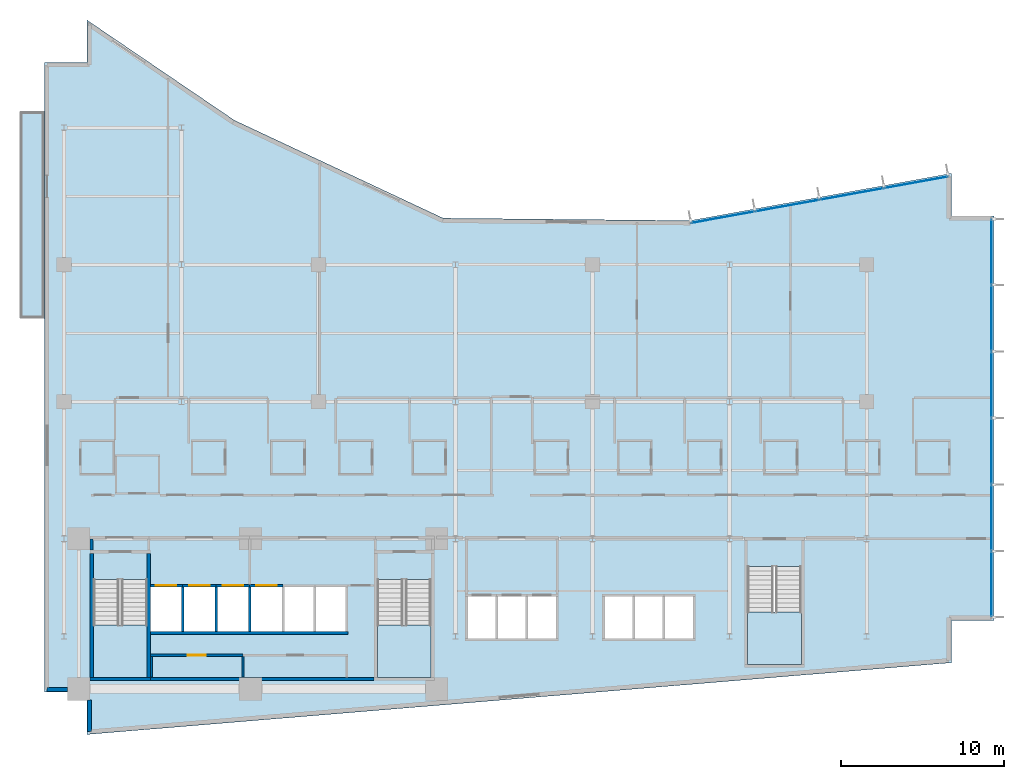
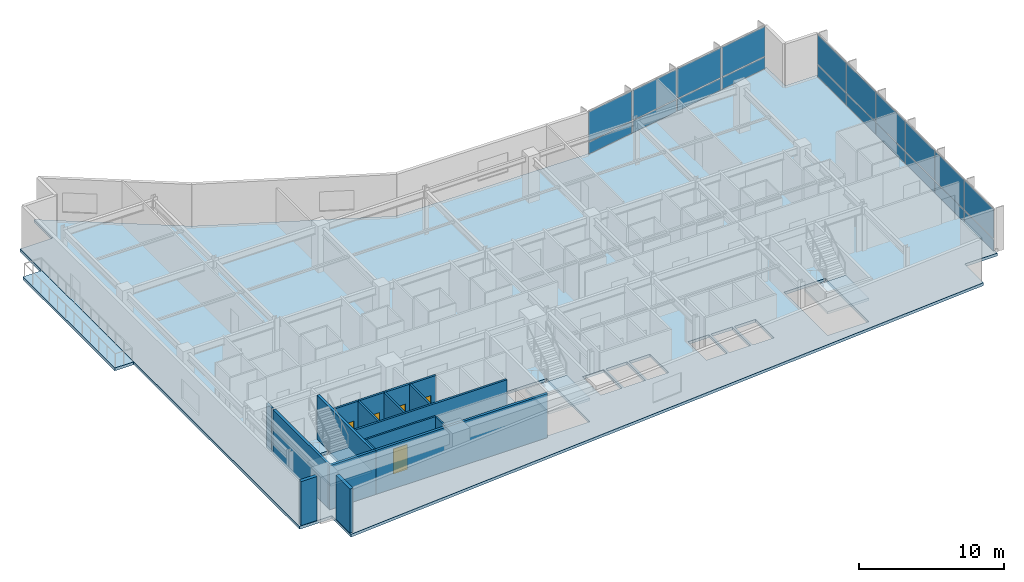
# One storey, part 11 of 21: 20 plates, 18 walls, 5 doors, 5 slabs, 5 openings, 5 elements without a shape of their own.
"""IFC4 building model written with IfcOpenShell, lengths in metres."""

from ifc_helpers import new_model, si_unit, direction, frame, frame_2d, origin, origin_2d, place, context, subcontext, project, spatial, polyline, rectangle, outline, extrude, material, layer, layer_set, type_object, element, fill, aggregate, save


model = new_model("IFC4")

# Units and contexts
model_context = context("Model", 3, precision=1e-05, world=origin(), true_north=direction((0.0, 1.0)))
body_context = subcontext(model_context, "Body", "Model", "MODEL_VIEW")
ifc_project = project(units=[si_unit("LENGTHUNIT", "METRE"), si_unit("AREAUNIT", "SQUARE_METRE"), si_unit("VOLUMEUNIT", "CUBIC_METRE"), si_unit("PLANEANGLEUNIT", "RADIAN"), si_unit("MASSUNIT", "GRAM", prefix="KILO")], contexts=[model_context])

# Site, building, storey
site_placement = place(None, origin())
site = spatial("IfcSite", under=ifc_project, at=site_placement, CompositionType="ELEMENT")
building_placement = place(site_placement, origin())
building = spatial("IfcBuilding", under=site, at=building_placement, Name="Varnakote Quay Hospital", CompositionType="ELEMENT")
storey_placement = place(building_placement, frame((0.0, 0.0, 34.35009765625)))
storey = spatial("IfcBuildingStorey", under=building, at=storey_placement, Name="L08", CompositionType="ELEMENT", Elevation=34.35009765625)

# Curtain wall, plates
ifc_material_1 = material(Name="Anodised aluminium 6063-T6 Bronze", Category="aluminium")
ifc_layer_1 = layer(ifc_material_1, 0.18994140625)
ifc_layer_set_1 = layer_set([ifc_layer_1], Name="Anodised aluminium 6063-T6 Bronze")
curtain_wall_type = type_object("IfcCurtainWallType", Name="CW-SYS-2", PredefinedType="NOTDEFINED", material=ifc_layer_set_1)
curtain_wall_1_placement = place(storey_placement, origin())
curtain_wall_1 = element("IfcCurtainWall", 1, at=curtain_wall_1_placement, inside=storey, type_object=curtain_wall_type, Name="L08 Unitised Bronze Curtain Wall 1", PredefinedType="NOTDEFINED")
ifc_material_2 = material(Name="Double-glazed acoustic laminated glass", Category="glass")
ifc_layer_2 = layer(ifc_material_2, 0.031982421875)
ifc_layer_set_2 = layer_set([ifc_layer_2], Name="Double-glazed acoustic laminated glass")
plate_type = type_object("IfcPlateType", Name="CW-PNL-GLZ-32", PredefinedType="CURTAIN_PANEL", material=ifc_layer_set_2)
plate_1_placement = place(storey_placement, frame((58.0400390625, 9.21875, 0.07470703125), z_axis=(0.0, 0.0, 1.0), x_axis=(0.0, 1.0, 0.0)))
plate_1 = element("IfcPlate", 2, at=plate_1_placement, type_object=plate_type, Name="-2-L08-1 panel 1.1", PredefinedType="CURTAIN_PANEL", context=body_context, shape_type="SweptSolid", body=[
    extrude(rectangle(XDim=3.967529296875, YDim=0.031982421875, at=origin_2d()), origin(), (0.0, 0.0, 1.0), 0.987548828125),
])
plate_2_placement = place(storey_placement, frame((58.0400390625, 9.21875, 1.137451171875), z_axis=(0.0, 0.0, 1.0), x_axis=(0.0, 1.0, 0.0)))
plate_2 = element("IfcPlate", 3, at=plate_2_placement, type_object=plate_type, Name="-2-L08-1 panel 1.2", PredefinedType="CURTAIN_PANEL", context=body_context, shape_type="SweptSolid", body=[
    extrude(rectangle(XDim=3.967529296875, YDim=0.031982421875, at=origin_2d()), origin(), (0.0, 0.0, 1.0), 2.49755859375),
])
plate_3_placement = place(storey_placement, frame((58.0400390625, 13.280029296875, 0.07470703125), z_axis=(0.0, 0.0, 1.0), x_axis=(0.0, 1.0, 0.0)))
plate_3 = element("IfcPlate", 4, at=plate_3_placement, type_object=plate_type, Name="-2-L08-1 panel 2.1", PredefinedType="CURTAIN_PANEL", context=body_context, shape_type="SweptSolid", body=[
    extrude(rectangle(XDim=4.0048828125, YDim=0.031982421875, at=origin_2d()), origin(), (0.0, 0.0, 1.0), 0.987548828125),
])
plate_4_placement = place(storey_placement, frame((58.0400390625, 13.280029296875, 1.137451171875), z_axis=(0.0, 0.0, 1.0), x_axis=(0.0, 1.0, 0.0)))
plate_4 = element("IfcPlate", 5, at=plate_4_placement, type_object=plate_type, Name="-2-L08-1 panel 2.2", PredefinedType="CURTAIN_PANEL", context=body_context, shape_type="SweptSolid", body=[
    extrude(rectangle(XDim=4.0048828125, YDim=0.031982421875, at=origin_2d()), origin(), (0.0, 0.0, 1.0), 2.49755859375),
])
plate_5_placement = place(storey_placement, frame((58.0400390625, 17.360107421875, 0.07470703125), z_axis=(0.0, 0.0, 1.0), x_axis=(0.0, 1.0, 0.0)))
plate_5 = element("IfcPlate", 6, at=plate_5_placement, type_object=plate_type, Name="-2-L08-1 panel 3.1", PredefinedType="CURTAIN_PANEL", context=body_context, shape_type="SweptSolid", body=[
    extrude(rectangle(XDim=4.0048828125, YDim=0.031982421875, at=origin_2d()), origin(), (0.0, 0.0, 1.0), 0.987548828125),
])
plate_6_placement = place(storey_placement, frame((58.0400390625, 17.360107421875, 1.137451171875), z_axis=(0.0, 0.0, 1.0), x_axis=(0.0, 1.0, 0.0)))
plate_6 = element("IfcPlate", 7, at=plate_6_placement, type_object=plate_type, Name="-2-L08-1 panel 3.2", PredefinedType="CURTAIN_PANEL", context=body_context, shape_type="SweptSolid", body=[
    extrude(rectangle(XDim=4.0048828125, YDim=0.031982421875, at=origin_2d()), origin(), (0.0, 0.0, 1.0), 2.49755859375),
])
plate_7_placement = place(storey_placement, frame((58.0400390625, 21.43994140625, 0.07470703125), z_axis=(0.0, 0.0, 1.0), x_axis=(0.0, 1.0, 0.0)))
plate_7 = element("IfcPlate", 8, at=plate_7_placement, type_object=plate_type, Name="-2-L08-1 panel 4.1", PredefinedType="CURTAIN_PANEL", context=body_context, shape_type="SweptSolid", body=[
    extrude(rectangle(XDim=4.0048828125, YDim=0.031982421875, at=origin_2d()), origin(), (0.0, 0.0, 1.0), 0.987548828125),
])
plate_8_placement = place(storey_placement, frame((58.0400390625, 21.43994140625, 1.137451171875), z_axis=(0.0, 0.0, 1.0), x_axis=(0.0, 1.0, 0.0)))
plate_8 = element("IfcPlate", 9, at=plate_8_placement, type_object=plate_type, Name="-2-L08-1 panel 4.2", PredefinedType="CURTAIN_PANEL", context=body_context, shape_type="SweptSolid", body=[
    extrude(rectangle(XDim=4.0048828125, YDim=0.031982421875, at=origin_2d()), origin(), (0.0, 0.0, 1.0), 2.49755859375),
])
plate_9_placement = place(storey_placement, frame((58.0400390625, 25.52001953125, 0.07470703125), z_axis=(0.0, 0.0, 1.0), x_axis=(0.0, 1.0, 0.0)))
plate_9 = element("IfcPlate", 10, at=plate_9_placement, type_object=plate_type, Name="-2-L08-1 panel 5.1", PredefinedType="CURTAIN_PANEL", context=body_context, shape_type="SweptSolid", body=[
    extrude(rectangle(XDim=4.0048828125, YDim=0.031982421875, at=origin_2d()), origin(), (0.0, 0.0, 1.0), 0.987548828125),
])
plate_10_placement = place(storey_placement, frame((58.0400390625, 25.52001953125, 1.137451171875), z_axis=(0.0, 0.0, 1.0), x_axis=(0.0, 1.0, 0.0)))
plate_10 = element("IfcPlate", 11, at=plate_10_placement, type_object=plate_type, Name="-2-L08-1 panel 5.2", PredefinedType="CURTAIN_PANEL", context=body_context, shape_type="SweptSolid", body=[
    extrude(rectangle(XDim=4.0048828125, YDim=0.031982421875, at=origin_2d()), origin(), (0.0, 0.0, 1.0), 2.49755859375),
])
plate_11_placement = place(storey_placement, frame((58.0400390625, 29.581298828125, 0.07470703125), z_axis=(0.0, 0.0, 1.0), x_axis=(0.0, 1.0, 0.0)))
plate_11 = element("IfcPlate", 12, at=plate_11_placement, type_object=plate_type, Name="-2-L08-1 panel 6.1", PredefinedType="CURTAIN_PANEL", context=body_context, shape_type="SweptSolid", body=[
    extrude(rectangle(XDim=3.967529296875, YDim=0.031982421875, at=origin_2d()), origin(), (0.0, 0.0, 1.0), 0.987548828125),
])
plate_12_placement = place(storey_placement, frame((58.0400390625, 29.581298828125, 1.137451171875), z_axis=(0.0, 0.0, 1.0), x_axis=(0.0, 1.0, 0.0)))
plate_12 = element("IfcPlate", 13, at=plate_12_placement, type_object=plate_type, Name="-2-L08-1 panel 6.2", PredefinedType="CURTAIN_PANEL", context=body_context, shape_type="SweptSolid", body=[
    extrude(rectangle(XDim=3.967529296875, YDim=0.031982421875, at=origin_2d()), origin(), (0.0, 0.0, 1.0), 2.49755859375),
])
aggregate(curtain_wall_1, [plate_1, plate_2, plate_3, plate_4, plate_5, plate_6, plate_7, plate_8, plate_9, plate_10, plate_11, plate_12])

curtain_wall_2_placement = place(storey_placement, origin())
curtain_wall_2 = element("IfcCurtainWall", 14, at=curtain_wall_2_placement, inside=storey, type_object=curtain_wall_type, Name="L08 Unitised Bronze Curtain Wall 2", PredefinedType="NOTDEFINED")
plate_13_placement = place(storey_placement, frame((53.440185546875, 33.84716796875, 0.07470703125), z_axis=(0.0, 0.0, 1.0), x_axis=(-0.984058295766, -0.177846199098, 0.0)))
plate_13 = element("IfcPlate", 15, at=plate_13_placement, type_object=plate_type, Name="-2-L08-2 panel 1.1", PredefinedType="CURTAIN_PANEL", context=body_context, shape_type="SweptSolid", body=[
    extrude(rectangle(XDim=3.914306640625, YDim=0.031982421875, at=origin_2d()), origin(), (0.0, 0.0, 1.0), 0.987548828125),
])
plate_14_placement = place(storey_placement, frame((53.440185546875, 33.84716796875, 1.137451171875), z_axis=(0.0, 0.0, 1.0), x_axis=(-0.984058295766, -0.177846199098, 0.0)))
plate_14 = element("IfcPlate", 16, at=plate_14_placement, type_object=plate_type, Name="-2-L08-2 panel 1.2", PredefinedType="CURTAIN_PANEL", context=body_context, shape_type="SweptSolid", body=[
    extrude(rectangle(XDim=3.914306640625, YDim=0.031982421875, at=origin_2d()), origin(), (0.0, 0.0, 1.0), 2.49755859375),
])
plate_15_placement = place(storey_placement, frame((49.49609375, 33.13427734375, 0.07470703125), z_axis=(0.0, 0.0, 1.0), x_axis=(-0.984058295766, -0.177846199098, 0.0)))
plate_15 = element("IfcPlate", 17, at=plate_15_placement, type_object=plate_type, Name="-2-L08-2 panel 2.1", PredefinedType="CURTAIN_PANEL", context=body_context, shape_type="SweptSolid", body=[
    extrude(rectangle(XDim=3.951904296875, YDim=0.031982421875, at=origin_2d()), origin(), (0.0, 0.0, 1.0), 0.987548828125),
])
plate_16_placement = place(storey_placement, frame((49.49609375, 33.13427734375, 1.137451171875), z_axis=(0.0, 0.0, 1.0), x_axis=(-0.984058295766, -0.177846199098, 0.0)))
plate_16 = element("IfcPlate", 18, at=plate_16_placement, type_object=plate_type, Name="-2-L08-2 panel 2.2", PredefinedType="CURTAIN_PANEL", context=body_context, shape_type="SweptSolid", body=[
    extrude(rectangle(XDim=3.951904296875, YDim=0.031982421875, at=origin_2d()), origin(), (0.0, 0.0, 1.0), 2.49755859375),
])
plate_17_placement = place(storey_placement, frame((45.533447265625, 32.418212890625, 0.07470703125), z_axis=(0.0, 0.0, 1.0), x_axis=(-0.984058295766, -0.177846199098, 0.0)))
plate_17 = element("IfcPlate", 19, at=plate_17_placement, type_object=plate_type, Name="-2-L08-2 panel 3.1", PredefinedType="CURTAIN_PANEL", context=body_context, shape_type="SweptSolid", body=[
    extrude(rectangle(XDim=3.951904296875, YDim=0.031982421875, at=origin_2d()), origin(), (0.0, 0.0, 1.0), 0.987548828125),
])
plate_18_placement = place(storey_placement, frame((45.533447265625, 32.418212890625, 1.137451171875), z_axis=(0.0, 0.0, 1.0), x_axis=(-0.984058295766, -0.177846199098, 0.0)))
plate_18 = element("IfcPlate", 20, at=plate_18_placement, type_object=plate_type, Name="-2-L08-2 panel 3.2", PredefinedType="CURTAIN_PANEL", context=body_context, shape_type="SweptSolid", body=[
    extrude(rectangle(XDim=3.951904296875, YDim=0.031982421875, at=origin_2d()), origin(), (0.0, 0.0, 1.0), 2.49755859375),
])
plate_19_placement = place(storey_placement, frame((41.58935546875, 31.705322265625, 0.07470703125), z_axis=(0.0, 0.0, 1.0), x_axis=(-0.984058295766, -0.177846199098, 0.0)))
plate_19 = element("IfcPlate", 21, at=plate_19_placement, type_object=plate_type, Name="-2-L08-2 panel 4.1", PredefinedType="CURTAIN_PANEL", context=body_context, shape_type="SweptSolid", body=[
    extrude(rectangle(XDim=3.914306640625, YDim=0.031982421875, at=origin_2d()), origin(), (0.0, 0.0, 1.0), 0.987548828125),
])
plate_20_placement = place(storey_placement, frame((41.58935546875, 31.705322265625, 1.137451171875), z_axis=(0.0, 0.0, 1.0), x_axis=(-0.984058295766, -0.177846199098, 0.0)))
plate_20 = element("IfcPlate", 22, at=plate_20_placement, type_object=plate_type, Name="-2-L08-2 panel 4.2", PredefinedType="CURTAIN_PANEL", context=body_context, shape_type="SweptSolid", body=[
    extrude(rectangle(XDim=3.914306640625, YDim=0.031982421875, at=origin_2d()), origin(), (0.0, 0.0, 1.0), 2.49755859375),
])
aggregate(curtain_wall_2, [plate_13, plate_14, plate_15, plate_16, plate_17, plate_18, plate_19, plate_20])

# Stair, slab
ifc_material_3 = material(Name="Concrete N40 (f'c 40 MPa)", Category="concrete")
stair_type = type_object("IfcStairType", Name="STR-CORE-1580", PredefinedType="HALF_TURN_STAIR", material=ifc_material_3)
stair_1_placement = place(storey_placement, origin())
stair_1 = element("IfcStair", 23, at=stair_1_placement, inside=storey, type_object=stair_type, Name="L08 Fire-Isolated Exit Stair ST-01", PredefinedType="HALF_TURN_STAIR")
ifc_material_4 = material(Name="Concrete N40 (f'c 40 MPa)", Category="concrete")
ifc_layer_3 = layer(ifc_material_4, 0.199951171875)
ifc_layer_set_3 = layer_set([ifc_layer_3], Name="Concrete N40 (f'c 40 MPa)")
slab_type_1 = type_object("IfcSlabType", Name="SLB-STAIR-LND-200", PredefinedType="LANDING", material=ifc_layer_set_3)
slab_1_placement = place(storey_placement, frame((0.0, 0.0, 1.77490234375)))
slab_1 = element("IfcSlab", 24, at=slab_1_placement, type_object=slab_type_1, Name="ST-01 landing 1", PredefinedType="LANDING", context=body_context, shape_type="SweptSolid", body=[
    extrude(outline(polyline([(3.0, 6.699951171875), (3.0, 3.5), (6.300048828125, 3.5), (6.300048828125, 6.699951171875), (3.0, 6.699951171875)])), origin(), (0.0, 0.0, 1.0), 0.199951171875),
])
aggregate(stair_1, [slab_1])

stair_2_placement = place(storey_placement, origin())
stair_2 = element("IfcStair", 25, at=stair_2_placement, inside=storey, type_object=stair_type, Name="L08 Fire-Isolated Exit Stair ST-02", PredefinedType="HALF_TURN_STAIR")
slab_2_placement = place(storey_placement, frame((0.0, 0.0, 1.77490234375)))
slab_2 = element("IfcSlab", 26, at=slab_2_placement, type_object=slab_type_1, Name="ST-02 landing 1", PredefinedType="LANDING", context=body_context, shape_type="SweptSolid", body=[
    extrude(outline(polyline([(20.39990234375, 6.699951171875), (20.39990234375, 3.5), (23.699951171875, 3.5), (23.699951171875, 6.699951171875), (20.39990234375, 6.699951171875)])), origin(), (0.0, 0.0, 1.0), 0.199951171875),
])
aggregate(stair_2, [slab_2])

stair_3_placement = place(storey_placement, origin())
stair_3 = element("IfcStair", 27, at=stair_3_placement, inside=storey, type_object=stair_type, Name="L08 Fire-Isolated Exit Stair ST-03", PredefinedType="HALF_TURN_STAIR")
slab_3_placement = place(storey_placement, frame((0.0, 0.0, 1.77490234375)))
slab_3 = element("IfcSlab", 28, at=slab_3_placement, type_object=slab_type_1, Name="ST-03 landing 1", PredefinedType="LANDING", context=body_context, shape_type="SweptSolid", body=[
    extrude(outline(polyline([(43.10009765625, 7.5), (43.10009765625, 4.300048828125), (46.39990234375, 4.300048828125), (46.39990234375, 7.5), (43.10009765625, 7.5)])), origin(), (0.0, 0.0, 1.0), 0.199951171875),
])
aggregate(stair_3, [slab_3])

# Slabs
ifc_material_5 = material(Name="Concrete N50 (f'c 50 MPa)", Category="concrete")
ifc_layer_4 = layer(ifc_material_5, 0.239990234375)
ifc_layer_set_4 = layer_set([ifc_layer_4], Name="Concrete N50 (f'c 50 MPa)")
slab_type_2 = type_object("IfcSlabType", Name="SLB-TERR-200", PredefinedType="FLOOR", material=ifc_layer_set_4)
slab_4_placement = place(storey_placement, frame((0.0, 0.0, -0.239990234375)))
element("IfcSlab", 29, at=slab_4_placement, inside=storey, type_object=slab_type_2, Name="L08 Waterfront Healing Terrace Slab", PredefinedType="FLOOR", context=body_context, shape_type="SweptSolid", body=[
    extrude(outline(polyline([(0.00390625, 25.5), (0.00390625, 38.199951171875), (-1.5, 38.199951171875), (-1.5, 25.5), (0.00390625, 25.5)])), origin(), (0.0, 0.0, 1.0), 0.239990234375),
])
ifc_material_6 = material(Name="Concrete N50 (f'c 50 MPa)", Category="concrete")
ifc_layer_5 = layer(ifc_material_6, 0.239990234375)
ifc_layer_set_5 = layer_set([ifc_layer_5], Name="Concrete N50 (f'c 50 MPa)")
slab_type_3 = type_object("IfcSlabType", Name="SLB-WARD-200", PredefinedType="FLOOR", material=ifc_layer_set_5)
slab_5_placement = place(storey_placement, frame((0.0, 0.0, -0.239990234375)))
element("IfcSlab", 30, at=slab_5_placement, inside=storey, type_object=slab_type_3, Name="L08 Primary Floor Slab", PredefinedType="FLOOR", context=body_context, shape_type="SweptSolid", body=[
    extrude(outline(polyline([(0.0, 2.60009765625), (2.60009765625, 2.60009765625), (2.60009765625, 0.0), (55.60009765625, 4.39990234375), (55.60009765625, 7.0), (58.199951171875, 7.0), (58.199951171875, 31.800048828125), (55.60009765625, 31.800048828125), (55.60009765625, 34.39990234375), (39.575927734375, 31.50390625), (24.444091796875, 31.652099609375), (11.639892578125, 37.656005859375), (2.60009765625, 43.800048828125), (2.60009765625, 41.199951171875), (0.0, 41.199951171875), (0.0, 2.60009765625)]), holes=[polyline([(3.0, 3.5), (6.300048828125, 3.5), (6.300048828125, 9.49951171875), (3.0, 9.49951171875), (3.0, 3.5)]), polyline([(20.39990234375, 3.5), (23.699951171875, 3.5), (23.699951171875, 9.49951171875), (20.39990234375, 9.49951171875), (20.39990234375, 3.5)]), polyline([(43.10009765625, 4.300048828125), (46.39990234375, 4.300048828125), (46.39990234375, 10.29931640625), (43.10009765625, 10.29931640625), (43.10009765625, 4.300048828125)]), polyline([(6.5, 6.300048828125), (8.39990234375, 6.300048828125), (8.39990234375, 9.050048828125), (6.5, 9.050048828125), (6.5, 6.300048828125)]), polyline([(8.550048828125, 6.300048828125), (10.449951171875, 6.300048828125), (10.449951171875, 9.050048828125), (8.550048828125, 9.050048828125), (8.550048828125, 6.300048828125)]), polyline([(10.60009765625, 6.300048828125), (12.5, 6.300048828125), (12.5, 9.050048828125), (10.60009765625, 9.050048828125), (10.60009765625, 6.300048828125)]), polyline([(12.64990234375, 6.300048828125), (14.550048828125, 6.300048828125), (14.550048828125, 9.050048828125), (12.64990234375, 9.050048828125), (12.64990234375, 6.300048828125)]), polyline([(14.699951171875, 6.300048828125), (16.5, 6.300048828125), (16.5, 9.050048828125), (14.699951171875, 9.050048828125), (14.699951171875, 6.300048828125)]), polyline([(16.64990234375, 6.300048828125), (18.449951171875, 6.300048828125), (18.449951171875, 9.050048828125), (16.64990234375, 9.050048828125), (16.64990234375, 6.300048828125)]), polyline([(25.949951171875, 5.89990234375), (27.64990234375, 5.89990234375), (27.64990234375, 8.449951171875), (25.949951171875, 8.449951171875), (25.949951171875, 5.89990234375)]), polyline([(27.800048828125, 5.89990234375), (29.5, 5.89990234375), (29.5, 8.449951171875), (27.800048828125, 8.449951171875), (27.800048828125, 5.89990234375)]), polyline([(29.64990234375, 5.89990234375), (31.35009765625, 5.89990234375), (31.35009765625, 8.449951171875), (29.64990234375, 8.449951171875), (29.64990234375, 5.89990234375)]), polyline([(34.35009765625, 5.89990234375), (36.050048828125, 5.89990234375), (36.050048828125, 8.449951171875), (34.35009765625, 8.449951171875), (34.35009765625, 5.89990234375)]), polyline([(36.199951171875, 5.89990234375), (37.89990234375, 5.89990234375), (37.89990234375, 8.449951171875), (36.199951171875, 8.449951171875), (36.199951171875, 5.89990234375)]), polyline([(38.050048828125, 5.89990234375), (39.75, 5.89990234375), (39.75, 8.449951171875), (38.050048828125, 8.449951171875), (38.050048828125, 5.89990234375)])]), origin(), (0.0, 0.0, 1.0), 0.239990234375),
])

# Walls
ifc_material_7 = material(Name="Fire-rated acoustic gypsum stud wall", Category="gypsum")
ifc_layer_6 = layer(ifc_material_7, 0.159912109375)
ifc_layer_set_6 = layer_set([ifc_layer_6], Name="Fire-rated acoustic gypsum stud wall")
wall_type_1 = type_object("IfcWallType", Name="WL-COMP-160", PredefinedType="PARTITIONING", material=ifc_layer_set_6)
wall_1_placement = place(storey_placement, frame((2.8798828125, 11.300048828125, 0.0), z_axis=(0.0, 0.0, 1.0), x_axis=(0.0, 1.0, 0.0)))
element("IfcWall", 31, at=wall_1_placement, inside=storey, type_object=wall_type_1, Name="L08 West Stair Vestibule West Wall", PredefinedType="PARTITIONING", context=body_context, shape_type="SweptSolid", body=[
    extrude(rectangle(XDim=0.699951171875, YDim=0.159912109375, at=frame_2d((0.35009765625, 0.0))), origin(), (0.0, 0.0, 1.0), 3.7099609375),
])
ifc_material_8 = material(Name="Concrete N80 (f'c 80 MPa)", Category="concrete")
ifc_layer_7 = layer(ifc_material_8, 0.199951171875)
ifc_layer_set_7 = layer_set([ifc_layer_7], Name="Concrete N80 (f'c 80 MPa)")
wall_type_2 = type_object("IfcWallType", Name="WL-CORE-N80-200", PredefinedType="SHEAR", material=ifc_layer_set_7)
wall_2_placement = place(storey_placement, frame((6.5, 3.39990234375, 0.0), z_axis=(0.0, 0.0, 1.0), x_axis=(1.0, 0.0, 0.0)))
element("IfcWall", 32, at=wall_2_placement, inside=storey, type_object=wall_type_2, Name="L08 Rear Core South Shear Wall", PredefinedType="SHEAR", context=body_context, shape_type="SweptSolid", body=[
    extrude(rectangle(XDim=13.699951171875, YDim=0.199951171875, at=frame_2d((6.85009765625, 0.0))), origin(), (0.0, 0.0, 1.0), 3.7099609375),
])
ifc_material_9 = material(Name="Precast concrete N50 (f'c 50 MPa)", Category="concrete")
ifc_layer_8 = layer(ifc_material_9, 0.260009765625)
ifc_layer_set_8 = layer_set([ifc_layer_8], Name="Precast concrete N50 (f'c 50 MPa)")
wall_type_3 = type_object("IfcWallType", Name="WL-EXT-BRICK-260", PredefinedType="STANDARD", material=ifc_layer_set_8)
wall_3_placement = place(storey_placement, frame((2.760009765625, 2.114990234375, 0.0), z_axis=(0.0, 0.0, 1.0), x_axis=(0.0, -1.0, 0.0)))
element("IfcWall", 33, at=wall_3_placement, inside=storey, type_object=wall_type_3, Name="L08 Brick-Faced Precast Exterior Wall", PredefinedType="STANDARD", context=body_context, shape_type="SweptSolid", body=[
    extrude(rectangle(XDim=1.941162109375, YDim=0.260009765625, at=frame_2d((0.970703125, 0.0))), origin(), (0.0, 0.0, 1.0), 3.7099609375),
])
wall_4_placement = place(storey_placement, frame((0.159912109375, 2.760009765625, 0.0), z_axis=(0.0, 0.0, 1.0), x_axis=(1.0, 0.0, 0.0)))
element("IfcWall", 34, at=wall_4_placement, inside=storey, type_object=wall_type_3, Name="L08 Brick-Faced Precast Exterior Wall", PredefinedType="STANDARD", context=body_context, shape_type="SweptSolid", body=[
    extrude(rectangle(XDim=1.255126953125, YDim=0.260009765625, at=frame_2d((0.62744140625, 0.0))), origin(), (0.0, 0.0, 1.0), 3.7099609375),
])
ifc_material_10 = material(Name="Concrete N50 (f'c 50 MPa)", Category="concrete")
ifc_layer_9 = layer(ifc_material_10, 0.14990234375)
ifc_layer_set_9 = layer_set([ifc_layer_9], Name="Concrete N50 (f'c 50 MPa)")
wall_type_4 = type_object("IfcWallType", Name="WL-SHAFT-N50-150", PredefinedType="SHEAR", material=ifc_layer_set_9)
for number, where, z_axis, x_axis, name in (
    (35, (8.47509765625, 6.300048828125, 0.0), (0.0, 0.0, 1.0), (0.0, 1.0, 0.0), "L08 LF-FF1 Hoistway Divider Wall"),
    (36, (10.52490234375, 6.300048828125, 0.0), (0.0, 0.0, 1.0), (0.0, 1.0, 0.0), "L08 LF-FF2 Hoistway Divider Wall"),
    (37, (12.574951171875, 6.300048828125, 0.0), (0.0, 0.0, 1.0), (0.0, 1.0, 0.0), "L08 LF-SV1 Hoistway Divider Wall"),
):
    element("IfcWall", number, at=place(storey_placement, frame(where, z_axis=z_axis, x_axis=x_axis)), inside=storey, type_object=wall_type_4, Name=name, PredefinedType="SHEAR", context=body_context, shape_type="SweptSolid", body=[
        extrude(rectangle(XDim=2.75, YDim=0.14990234375, at=frame_2d((1.375, 0.0))), origin(), (0.0, 0.0, 1.0), 3.7099609375),
    ])
ifc_material_11 = material(Name="Concrete N50 (f'c 50 MPa)", Category="concrete")
ifc_layer_10 = layer(ifc_material_11, 0.159912109375)
ifc_layer_set_10 = layer_set([ifc_layer_10], Name="Concrete N50 (f'c 50 MPa)")
wall_type_5 = type_object("IfcWallType", Name="WL-SHAFT-N50-160", PredefinedType="SHEAR", material=ifc_layer_set_10)
wall_5_placement = place(storey_placement, frame((6.5, 6.219970703125, 0.0), z_axis=(0.0, 0.0, 1.0), x_axis=(1.0, 0.0, 0.0)))
element("IfcWall", 38, at=wall_5_placement, inside=storey, type_object=wall_type_5, Name="L08 REAR Lift Bank Back Shear Wall", PredefinedType="SHEAR", context=body_context, shape_type="SweptSolid", body=[
    extrude(rectangle(XDim=12.110107421875, YDim=0.159912109375, at=frame_2d((6.05517578125, 0.0))), origin(), (0.0, 0.0, 1.0), 3.7099609375),
])

# Wall, opening, door
wall_6_placement = place(storey_placement, frame((6.5, 9.1298828125, 0.0), z_axis=(0.0, 0.0, 1.0), x_axis=(1.0, 0.0, 0.0)))
wall_6 = element("IfcWall", 39, at=wall_6_placement, inside=storey, type_object=wall_type_5, Name="L08 LF-FF1 Hoistway Front Wall", PredefinedType="SHEAR", context=body_context, shape_type="SweptSolid", body=[
    extrude(rectangle(XDim=1.97509765625, YDim=0.159912109375, at=frame_2d((0.987548828125, 0.0))), origin(), (0.0, 0.0, 1.0), 3.7099609375),
])
opening_1_placement = place(wall_6_placement, frame((0.324951171875, 0.0, 0.0)))
opening_1 = element("IfcOpeningElement", 40, at=opening_1_placement, cuts=wall_6, Name="Opening LD-FF1-L08", PredefinedType="OPENING", context=body_context, shape_type="SweptSolid", body=[
    extrude(rectangle(XDim=1.25, YDim=2.14990234375, at=frame_2d((0.625, 1.074951171875))), frame((0.0, 0.08984375, 0.0), z_axis=(0.0, -1.0, 0.0), x_axis=(1.0, 0.0, 0.0)), (0.0, 0.0, 1.0), 0.179931640625),
])
ifc_material_12 = material(Name="Stainless steel lift landing sliding door", Category="steel")
door_type_1 = type_object("IfcDoorType", Name="DR-LIFT-LD-1250x2150", OperationType="NOTDEFINED", PredefinedType="DOOR", material=ifc_material_12)
door_1_placement = place(opening_1_placement, origin())
door_1 = element("IfcDoor", 41, at=door_1_placement, inside=storey, type_object=door_type_1, Name="L08 LF-FF1 Lift Landing Sliding Door", OperationType="SLIDING_TO_LEFT", OverallHeight=2.14990234375, OverallWidth=1.25, PredefinedType="DOOR", context=body_context, shape_type="SweptSolid", body=[
    extrude(rectangle(XDim=1.25, YDim=2.14990234375, at=frame_2d((0.625, 1.074951171875))), frame((0.0, 0.02490234375, 0.0), z_axis=(0.0, -1.0, 0.0), x_axis=(1.0, 0.0, 0.0)), (0.0, 0.0, 1.0), 0.050048828125),
])
fill(opening_1, door_1)

wall_7_placement = place(storey_placement, frame((8.47509765625, 9.1298828125, 0.0), z_axis=(0.0, 0.0, 1.0), x_axis=(1.0, 0.0, 0.0)))
wall_7 = element("IfcWall", 42, at=wall_7_placement, inside=storey, type_object=wall_type_5, Name="L08 LF-FF2 Hoistway Front Wall", PredefinedType="SHEAR", context=body_context, shape_type="SweptSolid", body=[
    extrude(rectangle(XDim=2.0498046875, YDim=0.159912109375, at=frame_2d((1.02490234375, 0.0))), origin(), (0.0, 0.0, 1.0), 3.7099609375),
])
opening_2_placement = place(wall_7_placement, frame((0.39990234375, 0.0, 0.0)))
opening_2 = element("IfcOpeningElement", 43, at=opening_2_placement, cuts=wall_7, Name="Opening LD-FF2-L08", PredefinedType="OPENING", context=body_context, shape_type="SweptSolid", body=[
    extrude(rectangle(XDim=1.25, YDim=2.14990234375, at=frame_2d((0.625, 1.074951171875))), frame((0.0, 0.08984375, 0.0), z_axis=(0.0, -1.0, 0.0), x_axis=(1.0, 0.0, 0.0)), (0.0, 0.0, 1.0), 0.179931640625),
])
door_2_placement = place(opening_2_placement, origin())
door_2 = element("IfcDoor", 44, at=door_2_placement, inside=storey, type_object=door_type_1, Name="L08 LF-FF2 Lift Landing Sliding Door", OperationType="SLIDING_TO_LEFT", OverallHeight=2.14990234375, OverallWidth=1.25, PredefinedType="DOOR", context=body_context, shape_type="SweptSolid", body=[
    extrude(rectangle(XDim=1.25, YDim=2.14990234375, at=frame_2d((0.625, 1.074951171875))), frame((0.0, 0.02490234375, 0.0), z_axis=(0.0, -1.0, 0.0), x_axis=(1.0, 0.0, 0.0)), (0.0, 0.0, 1.0), 0.050048828125),
])
fill(opening_2, door_2)

wall_8_placement = place(storey_placement, frame((10.52490234375, 9.1298828125, 0.0), z_axis=(0.0, 0.0, 1.0), x_axis=(1.0, 0.0, 0.0)))
wall_8 = element("IfcWall", 45, at=wall_8_placement, inside=storey, type_object=wall_type_5, Name="L08 LF-SV1 Hoistway Front Wall", PredefinedType="SHEAR", context=body_context, shape_type="SweptSolid", body=[
    extrude(rectangle(XDim=2.050048828125, YDim=0.159912109375, at=frame_2d((1.02490234375, 0.0))), origin(), (0.0, 0.0, 1.0), 3.7099609375),
])
opening_3_placement = place(wall_8_placement, frame((0.39990234375, 0.0, 0.0)))
opening_3 = element("IfcOpeningElement", 46, at=opening_3_placement, cuts=wall_8, Name="Opening LD-SV1-L08", PredefinedType="OPENING", context=body_context, shape_type="SweptSolid", body=[
    extrude(rectangle(XDim=1.25, YDim=2.14990234375, at=frame_2d((0.625, 1.074951171875))), frame((0.0, 0.08984375, 0.0), z_axis=(0.0, -1.0, 0.0), x_axis=(1.0, 0.0, 0.0)), (0.0, 0.0, 1.0), 0.179931640625),
])
door_3_placement = place(opening_3_placement, origin())
door_3 = element("IfcDoor", 47, at=door_3_placement, inside=storey, type_object=door_type_1, Name="L08 LF-SV1 Lift Landing Sliding Door", OperationType="SLIDING_TO_LEFT", OverallHeight=2.14990234375, OverallWidth=1.25, PredefinedType="DOOR", context=body_context, shape_type="SweptSolid", body=[
    extrude(rectangle(XDim=1.25, YDim=2.14990234375, at=frame_2d((0.625, 1.074951171875))), frame((0.0, 0.02490234375, 0.0), z_axis=(0.0, -1.0, 0.0), x_axis=(1.0, 0.0, 0.0)), (0.0, 0.0, 1.0), 0.050048828125),
])
fill(opening_3, door_3)

wall_9_placement = place(storey_placement, frame((12.574951171875, 9.1298828125, 0.0), z_axis=(0.0, 0.0, 1.0), x_axis=(1.0, 0.0, 0.0)))
wall_9 = element("IfcWall", 48, at=wall_9_placement, inside=storey, type_object=wall_type_5, Name="L08 LF-SV2 Hoistway Front Wall", PredefinedType="SHEAR", context=body_context, shape_type="SweptSolid", body=[
    extrude(rectangle(XDim=2.050048828125, YDim=0.159912109375, at=frame_2d((1.02490234375, 0.0))), origin(), (0.0, 0.0, 1.0), 3.7099609375),
])
opening_4_placement = place(wall_9_placement, frame((0.39990234375, 0.0, 0.0)))
opening_4 = element("IfcOpeningElement", 49, at=opening_4_placement, cuts=wall_9, Name="Opening LD-SV2-L08", PredefinedType="OPENING", context=body_context, shape_type="SweptSolid", body=[
    extrude(rectangle(XDim=1.25, YDim=2.14990234375, at=frame_2d((0.625, 1.074951171875))), frame((0.0, 0.08984375, 0.0), z_axis=(0.0, -1.0, 0.0), x_axis=(1.0, 0.0, 0.0)), (0.0, 0.0, 1.0), 0.179931640625),
])
door_4_placement = place(opening_4_placement, origin())
door_4 = element("IfcDoor", 50, at=door_4_placement, inside=storey, type_object=door_type_1, Name="L08 LF-SV2 Lift Landing Sliding Door", OperationType="SLIDING_TO_LEFT", OverallHeight=2.14990234375, OverallWidth=1.25, PredefinedType="DOOR", context=body_context, shape_type="SweptSolid", body=[
    extrude(rectangle(XDim=1.25, YDim=2.14990234375, at=frame_2d((0.625, 1.074951171875))), frame((0.0, 0.02490234375, 0.0), z_axis=(0.0, -1.0, 0.0), x_axis=(1.0, 0.0, 0.0)), (0.0, 0.0, 1.0), 0.050048828125),
])
fill(opening_4, door_4)

# Walls
ifc_material_13 = material(Name="Concrete N50 (f'c 50 MPa)", Category="concrete")
ifc_layer_11 = layer(ifc_material_13, 0.199951171875)
ifc_layer_set_11 = layer_set([ifc_layer_11], Name="Concrete N50 (f'c 50 MPa)")
wall_type_6 = type_object("IfcWallType", Name="WL-SHAFT-N50-200", PredefinedType="SHEAR", material=ifc_layer_set_11)
wall_10_placement = place(storey_placement, frame((2.800048828125, 3.39990234375, 0.0), z_axis=(0.0, 0.0, 1.0), x_axis=(1.0, 0.0, 0.0)))
element("IfcWall", 51, at=wall_10_placement, inside=storey, type_object=wall_type_6, Name="L08 Stair ST1 South Shaft Wall", PredefinedType="SHEAR", context=body_context, shape_type="SweptSolid", body=[
    extrude(rectangle(XDim=3.699951171875, YDim=0.199951171875, at=frame_2d((1.85009765625, 0.0))), origin(), (0.0, 0.0, 1.0), 3.7099609375),
])
for number, where, z_axis, x_axis, name in (
    (52, (2.89990234375, 3.5, 0.0), (0.0, 0.0, 1.0), (0.0, 1.0, 0.0), "L08 Stair ST1 West Shaft Wall"),
    (53, (6.39990234375, 3.5, 0.0), (0.0, 0.0, 1.0), (0.0, 1.0, 0.0), "L08 Stair ST1 East Shaft Wall"),
):
    element("IfcWall", number, at=place(storey_placement, frame(where, z_axis=z_axis, x_axis=x_axis)), inside=storey, type_object=wall_type_6, Name=name, PredefinedType="SHEAR", context=body_context, shape_type="SweptSolid", body=[
        extrude(rectangle(XDim=7.60009765625, YDim=0.199951171875, at=frame_2d((3.800048828125, 0.0))), origin(), (0.0, 0.0, 1.0), 3.7099609375),
    ])
ifc_material_14 = material(Name="Smoke-proof clinical partition", Category="gypsum")
ifc_layer_12 = layer(ifc_material_14, 0.1201171875)
ifc_layer_set_12 = layer_set([ifc_layer_12], Name="Smoke-proof clinical partition")
wall_type_7 = type_object("IfcWallType", Name="WL-SMOKE-120", PredefinedType="PARTITIONING", material=ifc_layer_set_12)
for number, where, z_axis, x_axis, name in (
    (54, (6.56005859375, 3.52001953125, 0.0), (0.0, 0.0, 1.0), (0.0, 1.0, 0.0), "L08 Core South Service West Wall"),
    (55, (12.169921875, 3.52001953125, 0.0), (0.0, 0.0, 1.0), (0.0, 1.0, 0.0), "L08 Core South Service Divider"),
):
    element("IfcWall", number, at=place(storey_placement, frame(where, z_axis=z_axis, x_axis=x_axis)), inside=storey, type_object=wall_type_7, Name=name, PredefinedType="PARTITIONING", context=body_context, shape_type="SweptSolid", body=[
        extrude(rectangle(XDim=1.260009765625, YDim=0.1201171875, at=frame_2d((0.6298828125, 0.0))), origin(), (0.0, 0.0, 1.0), 3.7099609375),
    ])

# Wall, opening, door
ifc_material_15 = material(Name="Fire-rated clinical gypsum partition", Category="gypsum")
ifc_layer_13 = layer(ifc_material_15, 0.139892578125)
ifc_layer_set_13 = layer_set([ifc_layer_13], Name="Fire-rated clinical gypsum partition")
wall_type_8 = type_object("IfcWallType", Name="WL-WARD-140", PredefinedType="PARTITIONING", material=ifc_layer_set_13)
wall_11_placement = place(storey_placement, frame((6.5, 4.85009765625, 0.0), z_axis=(0.0, 0.0, 1.0), x_axis=(1.0, 0.0, 0.0)))
wall_11 = element("IfcWall", 56, at=wall_11_placement, inside=storey, type_object=wall_type_8, Name="L08 Core Clean Linen Store North Wall", PredefinedType="PARTITIONING", context=body_context, shape_type="SweptSolid", body=[
    extrude(rectangle(XDim=5.669921875, YDim=0.139892578125, at=frame_2d((2.8349609375, 0.0))), origin(), (0.0, 0.0, 1.0), 3.7099609375),
])
opening_5_placement = place(wall_11_placement, frame((2.284912109375, 0.0, 0.0)))
opening_5 = element("IfcOpeningElement", 57, at=opening_5_placement, cuts=wall_11, Name="Opening D-L08-CR01", PredefinedType="OPENING", context=body_context, shape_type="SweptSolid", body=[
    extrude(rectangle(XDim=1.10009765625, YDim=2.10009765625, at=frame_2d((0.550048828125, 1.050048828125))), frame((0.0, 0.079833984375, 0.0), z_axis=(0.0, -1.0, 0.0), x_axis=(1.0, 0.0, 0.0)), (0.0, 0.0, 1.0), 0.159912109375),
])
ifc_material_16 = material(Name="Acoustic timber clinical consult door", Category="wood")
door_type_2 = type_object("IfcDoorType", Name="DR-CLIN-FD30S-1100x2100", OperationType="NOTDEFINED", PredefinedType="DOOR", material=ifc_material_16)
door_5_placement = place(opening_5_placement, origin())
door_5 = element("IfcDoor", 58, at=door_5_placement, inside=storey, type_object=door_type_2, Name="L08 Core Clean Linen Store Door", OperationType="SINGLE_SWING_LEFT", OverallHeight=2.10009765625, OverallWidth=1.10009765625, PredefinedType="DOOR", context=body_context, shape_type="SweptSolid", body=[
    extrude(rectangle(XDim=1.10009765625, YDim=2.10009765625, at=frame_2d((0.550048828125, 1.050048828125))), frame((0.0, 0.02490234375, 0.0), z_axis=(0.0, -1.0, 0.0), x_axis=(1.0, 0.0, 0.0)), (0.0, 0.0, 1.0), 0.050048828125),
])
fill(opening_5, door_5)

save(model, "model.ifc")
